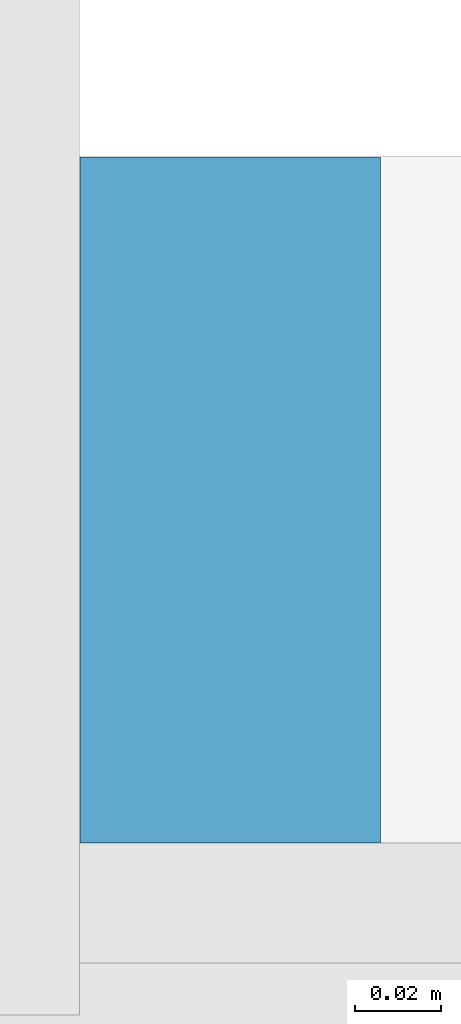
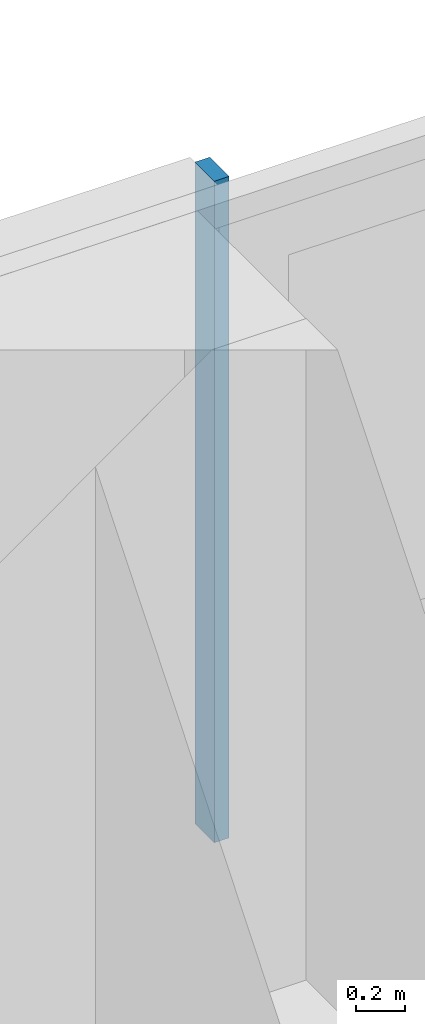
# One storey, part 10 of 26: 1 member, 1 element without a shape of its own.
"""IFC4 building model written with IfcOpenShell, lengths in metres."""

from ifc_helpers import new_model, si_unit, direction, frame, origin, origin_2d, place, context, subcontext, project, spatial, rectangle, extrude, material, material_profile, profile_set, type_object, element, aggregate, save


model = new_model("IFC4")

# Units and contexts
model_context = context("Model", 3, precision=1e-05, world=origin(), true_north=direction((0.0, 1.0)))
body_context = subcontext(model_context, "Body", "Model", "MODEL_VIEW")
ifc_project = project(units=[si_unit("LENGTHUNIT", "METRE"), si_unit("AREAUNIT", "SQUARE_METRE"), si_unit("VOLUMEUNIT", "CUBIC_METRE"), si_unit("PLANEANGLEUNIT", "RADIAN"), si_unit("MASSUNIT", "GRAM", prefix="KILO")], contexts=[model_context])

# Site, building, storey
site_placement = place(None, origin())
site = spatial("IfcSite", under=ifc_project, at=site_placement, CompositionType="ELEMENT")
building_placement = place(site_placement, origin())
building = spatial("IfcBuilding", under=site, at=building_placement, Name="Saffron Gate Tower", CompositionType="ELEMENT")
storey_placement = place(building_placement, frame((0.0, 0.0, 98.85009765625)))
storey = spatial("IfcBuildingStorey", under=building, at=storey_placement, Name="L22", CompositionType="ELEMENT", Elevation=98.85009765625)

# Curtain wall, member
ifc_material = material(Name="Aluminium, bronze anodised", Category="aluminium")
curtain_wall_type = type_object("IfcCurtainWallType", Name="CWS3 curtain wall rear facade", PredefinedType="NOTDEFINED", material=ifc_material)
curtain_wall_placement = place(storey_placement, origin())
curtain_wall = element("IfcCurtainWall", 1, at=curtain_wall_placement, inside=storey, type_object=curtain_wall_type, Name="CWS3 run 7", PredefinedType="NOTDEFINED")
ifc_material_profile = material_profile(ifc_material, rectangle(XDim=0.159912109375, YDim=0.070068359375, at=origin_2d()))
ifc_profile_set = profile_set([ifc_material_profile], Name="Aluminium, bronze anodised")
member_type = type_object("IfcMemberType", Name="CWS3 mullion 70x160", PredefinedType="MULLION", material=ifc_profile_set)
member_placement = place(storey_placement, frame((108.60009765625, 75.52001953125, 0.0), z_axis=(0.0, 0.0, 1.0), x_axis=(0.0, -1.0, 0.0)))
member = element("IfcMember", 2, at=member_placement, type_object=member_type, Name="CWS3 mullion 3", PredefinedType="MULLION", context=body_context, shape_type="SweptSolid", body=[
    extrude(rectangle(XDim=0.159912109375, YDim=0.070068359375, at=origin_2d()), origin(), (0.0, 0.0, 1.0), 3.31982421875),
])
aggregate(curtain_wall, [member])

save(model, "model.ifc")
